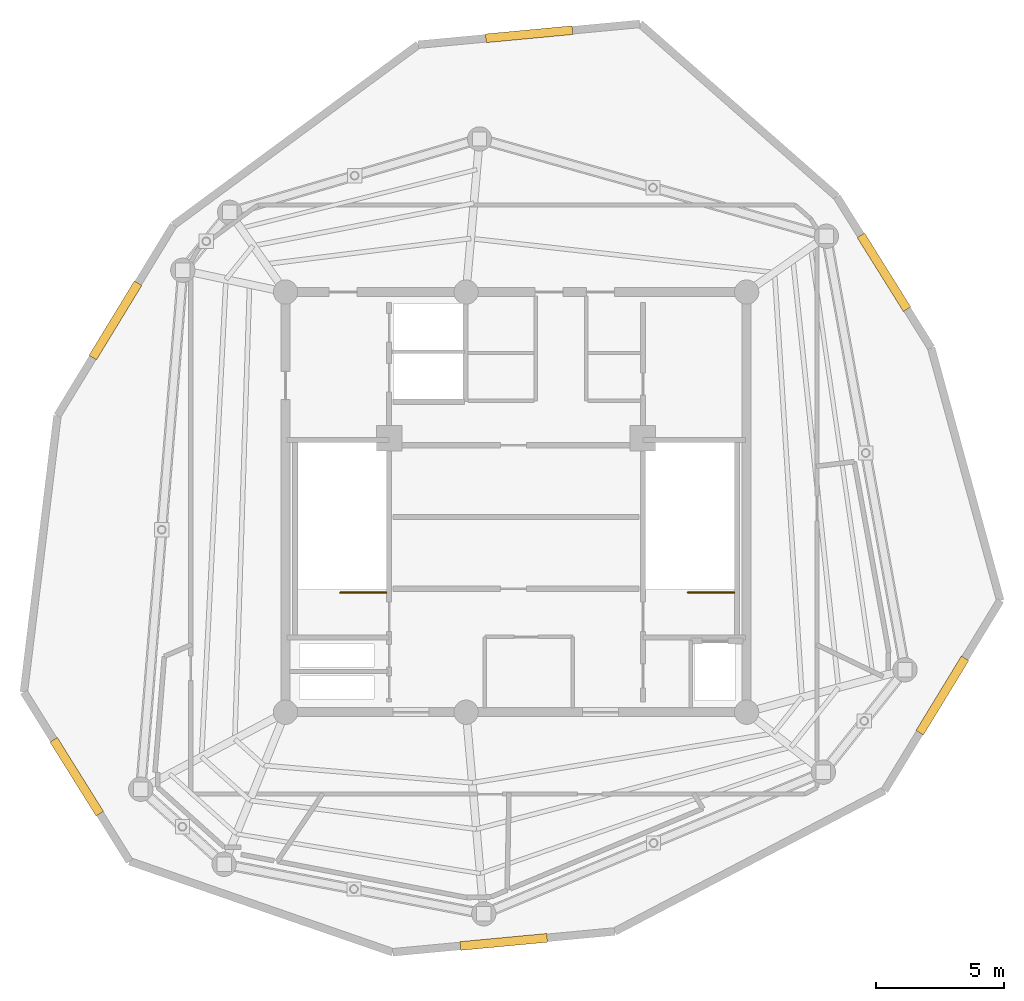
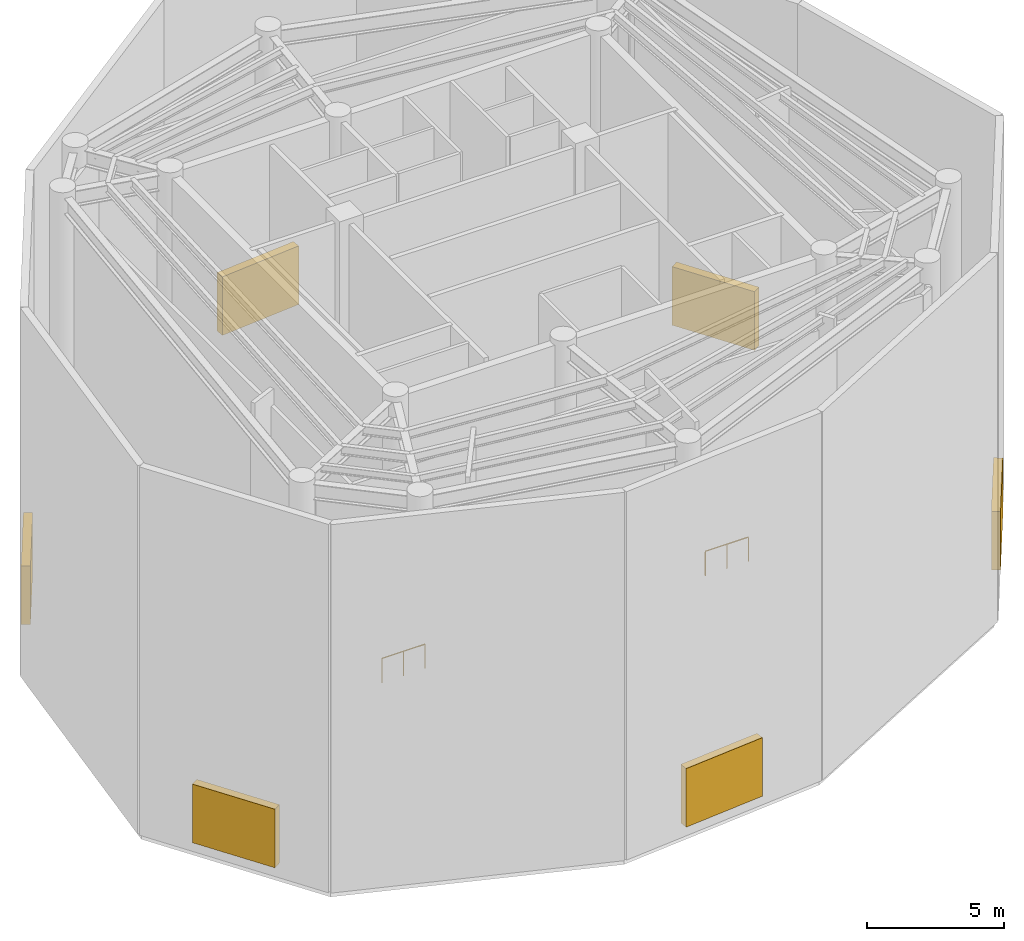
# One storey, part 6 of 6: 6 shading devices, 2 railings.
"""IFC4 building model written with IfcOpenShell, lengths in metres."""

from ifc_helpers import new_model, si_unit, direction, frame, origin, origin_with_axes, origin_2d, place, context, subcontext, project, spatial, rectangle, circle, extrude, source, transform, mapped, material, layer, layer_set, type_object, element, save


model = new_model("IFC4")

# Units and contexts
model_context = context("Model", 3, precision=1e-05, world=origin(), true_north=direction((0.0, 1.0)))
body_context = subcontext(model_context, "Body", "Model", "MODEL_VIEW")
ifc_project = project(units=[si_unit("LENGTHUNIT", "METRE"), si_unit("AREAUNIT", "SQUARE_METRE"), si_unit("VOLUMEUNIT", "CUBIC_METRE"), si_unit("PLANEANGLEUNIT", "RADIAN"), si_unit("MASSUNIT", "GRAM", prefix="KILO")], contexts=[model_context])

# Site, building, storey
site_placement = place(None, origin())
site = spatial("IfcSite", under=ifc_project, at=site_placement, CompositionType="ELEMENT")
building_placement = place(site_placement, origin())
building = spatial("IfcBuilding", under=site, at=building_placement, Name="Karkom Vertical University and Central Library", CompositionType="ELEMENT")
storey_placement = place(building_placement, frame((0.0, 0.0, 273.39990234375)))
storey = spatial("IfcBuildingStorey", under=building, at=storey_placement, Name="C81", CompositionType="ELEMENT", Elevation=273.39990234375)

# Railings
ifc_material_1 = material(Name="Painted galvanised steel balustrade", Category="steel")
ifc_layer_1 = layer(ifc_material_1, 0.06005859375)
ifc_layer_set_1 = layer_set([ifc_layer_1], Name="Painted galvanised steel balustrade")
railing_type = type_object("IfcRailingType", Name="INT-RL-GUARD1100", PredefinedType="GUARDRAIL", material=ifc_layer_set_1)
for number, where, name in (
    (1, (23.43994140625, 22.969970703125, 0.0), "Crown Level 81 ST-1 top well guard 1"),
    (2, (37.02001953125, 22.969970703125, 0.0), "Crown Level 81 ST-2 top well guard 1"),
):
    element("IfcRailing", number, at=place(storey_placement, frame(where)), inside=storey, type_object=railing_type, Name=name, PredefinedType="GUARDRAIL", context=body_context, shape_type="SweptSolid", body=[
        extrude(circle(Radius=0.02392578125, at=origin_2d()), frame((0.0, 0.0, 1.076171875), z_axis=(-1.0, 0.0, 0.0), x_axis=(0.0, -1.0, 0.0)), (0.0, 0.0, 1.0), 1.81005859375),
        extrude(circle(Radius=0.02099609375, at=origin_2d()), origin(), (0.0, 0.0, 1.0), 1.052001953125),
        extrude(circle(Radius=0.02099609375, at=origin_2d()), frame((-0.905029296875, 0.0, 0.0)), (0.0, 0.0, 1.0), 1.052001953125),
        extrude(circle(Radius=0.02099609375, at=origin_2d()), frame((-1.81005859375, 0.0, 0.0)), (0.0, 0.0, 1.0), 1.052001953125),
    ])

# Shading devices
ifc_material_2 = material(Name="Powder-coated aluminium acoustic weather louvre", Category="aluminium")
ifc_layer_2 = layer(ifc_material_2, 0.159912109375)
ifc_layer_set_2 = layer_set([ifc_layer_2], Name="Powder-coated aluminium acoustic weather louvre")
shading_device_type = type_object("IfcShadingDeviceType", Name="ENV-SHD-LOUVRE", PredefinedType="JALOUSIE", material=ifc_layer_set_2)
shared_shape = source(origin_with_axes(), body_context, "Body", "SweptSolid", [
    extrude(rectangle(XDim=3.39990234375, YDim=0.340087890625, at=origin_2d()), origin(), (0.0, 0.0, 1.0), 2.60009765625),
])
for number, where, z_axis, x_axis, name in (
    (3, (11.34912109375, 15.782958984375, 0.400146484375), (0.0, 0.0, 1.0), (0.529919264233, -0.848048096156, 0.0), "Crown Level 81 Mechanical Acoustic Louvre 01"),
    (4, (28.0205078125, 9.3330078125, 0.400146484375), (0.0, 0.0, 1.0), (0.995627421982, 0.093413257074, 0.0), "Crown Level 81 Mechanical Acoustic Louvre 03"),
    (5, (45.140625, 18.951416015625, 0.400146484375), (0.0, 0.0, 1.0), (0.520413614052, 0.853914322581, 0.0), "Crown Level 81 Mechanical Acoustic Louvre 05"),
    (6, (42.860595703125, 35.473388671875, 0.400146484375), (0.0, 0.0, 1.0), (-0.529919264233, 0.848048096156, 0.0), "Crown Level 81 Mechanical Acoustic Louvre 07"),
    (7, (29.010009765625, 44.765625, 0.400146484375), (0.0, 0.0, 1.0), (-0.995627421982, -0.093413257074, 0.0), "Crown Level 81 Mechanical Acoustic Louvre 09"),
    (8, (12.8603515625, 33.5947265625, 0.400146484375), (0.0, 0.0, 1.0), (-0.520413614052, -0.853914322581, 0.0), "Crown Level 81 Mechanical Acoustic Louvre 11"),
):
    element("IfcShadingDevice", number, at=place(storey_placement, frame(where, z_axis=z_axis, x_axis=x_axis)), inside=storey, type_object=shading_device_type, Name=name, PredefinedType="JALOUSIE", context=body_context, shape_type="MappedRepresentation", body=[
        mapped(shared_shape, transform((0.0, 0.0, 0.0), scale=1.0)),
    ])

save(model, "model.ifc")
